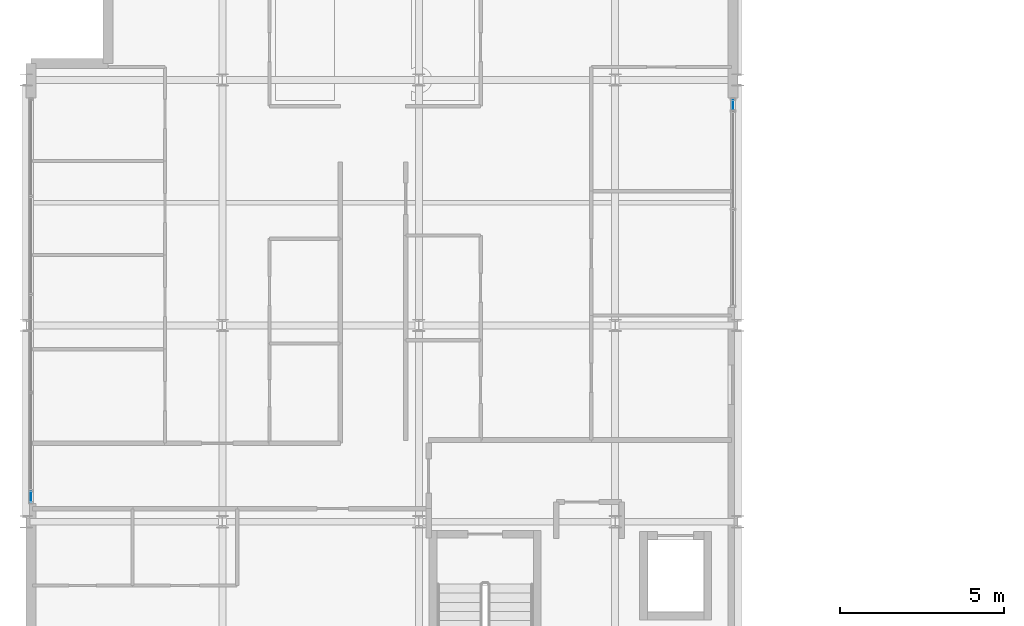
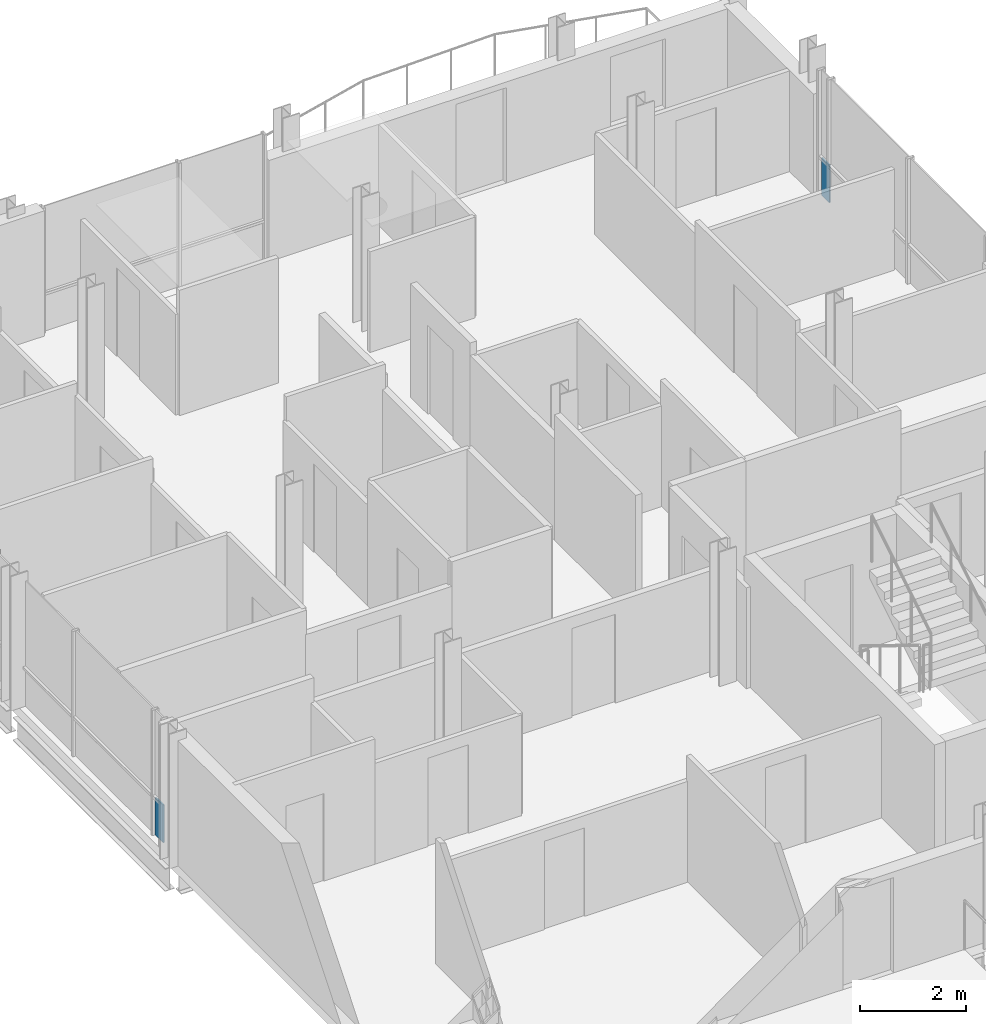
# One storey, part 21 of 29: 2 plates, 2 elements without a shape of their own.
"""IFC4 building model written with IfcOpenShell, lengths in metres."""

from ifc_helpers import new_model, si_unit, direction, frame, origin, origin_2d, place, context, subcontext, project, spatial, rectangle, extrude, material, layer, layer_set, type_object, element, aggregate, save


model = new_model("IFC4")

# Units and contexts
model_context = context("Model", 3, precision=1e-05, world=origin(), true_north=direction((0.0, 1.0)))
body_context = subcontext(model_context, "Body", "Model", "MODEL_VIEW")
ifc_project = project(units=[si_unit("LENGTHUNIT", "METRE"), si_unit("AREAUNIT", "SQUARE_METRE"), si_unit("VOLUMEUNIT", "CUBIC_METRE"), si_unit("PLANEANGLEUNIT", "RADIAN"), si_unit("MASSUNIT", "GRAM", prefix="KILO")], contexts=[model_context])

# Site, building, storey
site_placement = place(None, origin())
site = spatial("IfcSite", under=ifc_project, at=site_placement, CompositionType="ELEMENT")
building_placement = place(site_placement, origin())
building = spatial("IfcBuilding", under=site, at=building_placement, Name="Brevholm Reach", CompositionType="ELEMENT")
storey_placement = place(building_placement, frame((0.0, 0.0, 208.0)))
storey = spatial("IfcBuildingStorey", under=building, at=storey_placement, Name="L63", CompositionType="ELEMENT", Elevation=208.0)

# Curtain wall, plate
ifc_material_1 = material(Name="Dark Anodised Aluminium 6063-T6 and Solar-Control Glass", Category="aluminium")
ifc_layer_1 = layer(ifc_material_1, 0.14990234375)
ifc_layer_set_1 = layer_set([ifc_layer_1], Name="Dark Anodised Aluminium 6063-T6 and Solar-Control Glass")
curtain_wall_type_1 = type_object("IfcCurtainWallType", Name="CW-01", PredefinedType="NOTDEFINED", material=ifc_layer_set_1)
curtain_wall_1_placement = place(storey_placement, origin())
curtain_wall_1 = element("IfcCurtainWall", 1, at=curtain_wall_1_placement, inside=storey, type_object=curtain_wall_type_1, Name="L63 Curtain Wall CW-01", PredefinedType="NOTDEFINED")
ifc_material_2 = material(Name="Dark Solar-Control Double-Glazed IGU Glass", Category="glass")
ifc_layer_2 = layer(ifc_material_2, 0.028076171875)
ifc_layer_set_2 = layer_set([ifc_layer_2], Name="Dark Solar-Control Double-Glazed IGU Glass")
plate_type = type_object("IfcPlateType", Name="CWP-GLZ-28", PredefinedType="CURTAIN_PANEL", material=ifc_layer_set_2)
plate_1_placement = place(storey_placement, frame((0.14990234375, 10.766357421875, 0.0), z_axis=(0.0, 0.0, 1.0), x_axis=(0.0, -1.0, 0.0)))
plate_1 = element("IfcPlate", 2, at=plate_1_placement, type_object=plate_type, Name="CP-01 Glazing Panel 5.1", PredefinedType="CURTAIN_PANEL", context=body_context, shape_type="SweptSolid", body=[
    extrude(rectangle(XDim=0.302490234375, YDim=0.028076171875, at=origin_2d()), origin(), (0.0, 0.0, 1.0), 0.867431640625),
])
aggregate(curtain_wall_1, [plate_1])

ifc_material_3 = material(Name="Dark Anodised Aluminium 6063-T6 and Solar-Control Glass", Category="aluminium")
ifc_layer_3 = layer(ifc_material_3, 0.1650390625)
ifc_layer_set_3 = layer_set([ifc_layer_3], Name="Dark Anodised Aluminium 6063-T6 and Solar-Control Glass")
curtain_wall_type_2 = type_object("IfcCurtainWallType", Name="CW-04", PredefinedType="NOTDEFINED", material=ifc_layer_set_3)
curtain_wall_2_placement = place(storey_placement, origin())
curtain_wall_2 = element("IfcCurtainWall", 3, at=curtain_wall_2_placement, inside=storey, type_object=curtain_wall_type_2, Name="L63 Curtain Wall CW-04", PredefinedType="NOTDEFINED")
plate_2_placement = place(storey_placement, frame((21.60009765625, 22.732421875, 0.0), z_axis=(0.0, 0.0, 1.0), x_axis=(0.0, 1.0, 0.0)))
plate_2 = element("IfcPlate", 4, at=plate_2_placement, type_object=plate_type, Name="CP-01 Glazing Panel 3.1", PredefinedType="CURTAIN_PANEL", context=body_context, shape_type="SweptSolid", body=[
    extrude(rectangle(XDim=0.294921875, YDim=0.028076171875, at=origin_2d()), origin(), (0.0, 0.0, 1.0), 0.864990234375),
])
aggregate(curtain_wall_2, [plate_2])

save(model, "model.ifc")
